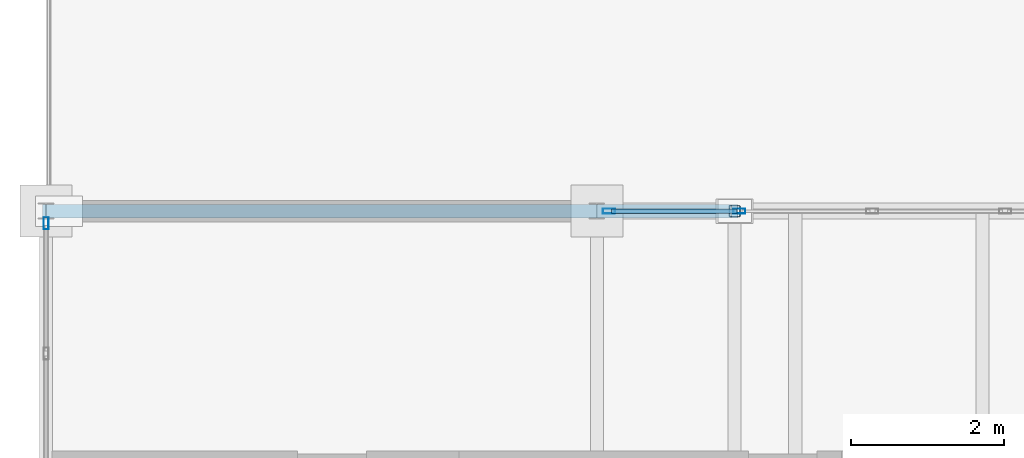
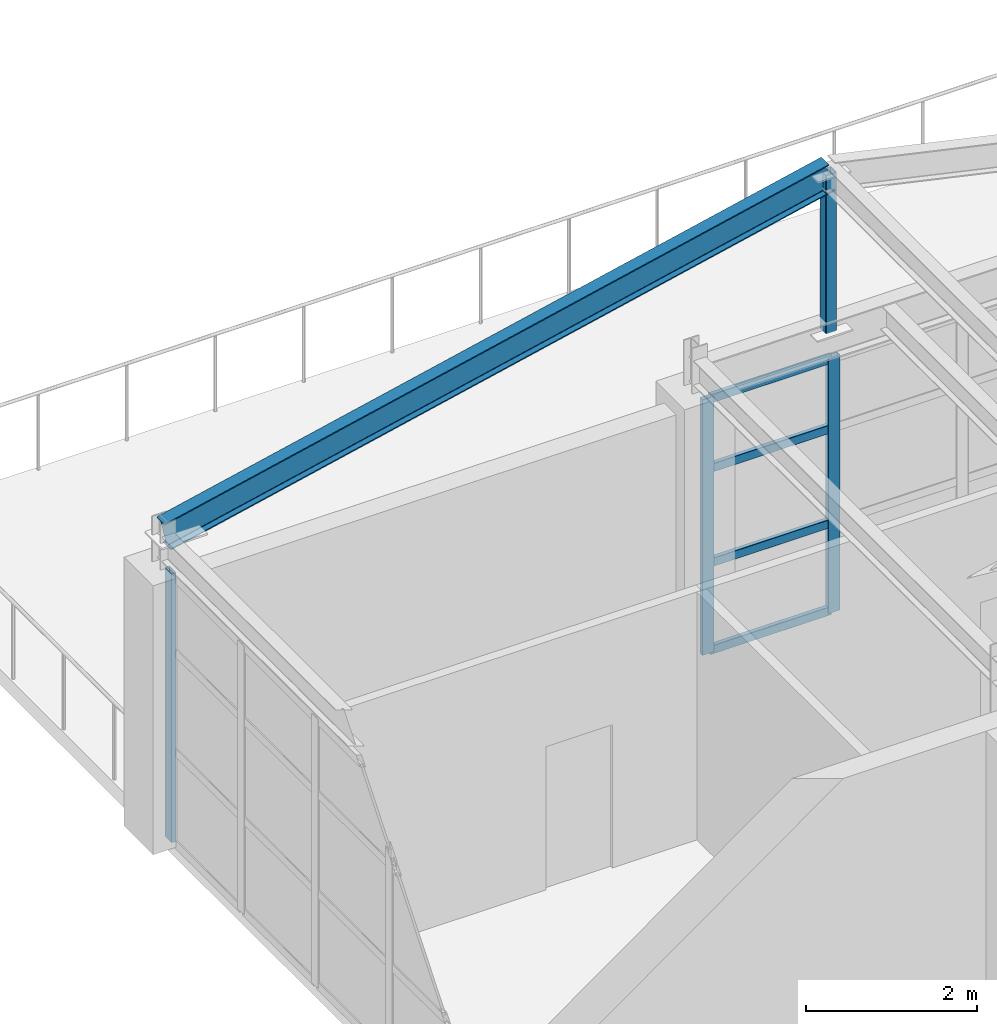
# One storey, part 30 of 43: 8 members, 1 beam, 2 elements without a shape of their own.
"""IFC4 building model written with IfcOpenShell, lengths in metres."""

from ifc_helpers import new_model, si_unit, direction, frame, origin, origin_2d, place, context, subcontext, project, spatial, hollow_rectangle, i_section, extrude, material, layer, layer_set, material_profile, profile_set, type_object, element, aggregate, save


model = new_model("IFC4")

# Units and contexts
model_context = context("Model", 3, precision=1e-05, world=origin(), true_north=direction((0.0, 1.0)))
body_context = subcontext(model_context, "Body", "Model", "MODEL_VIEW")
ifc_project = project(units=[si_unit("LENGTHUNIT", "METRE"), si_unit("AREAUNIT", "SQUARE_METRE"), si_unit("VOLUMEUNIT", "CUBIC_METRE"), si_unit("PLANEANGLEUNIT", "RADIAN"), si_unit("MASSUNIT", "GRAM", prefix="KILO")], contexts=[model_context])

# Site, building, storey
site_placement = place(None, origin())
site = spatial("IfcSite", under=ifc_project, at=site_placement, CompositionType="ELEMENT")
building_placement = place(site_placement, origin())
building = spatial("IfcBuilding", under=site, at=building_placement, Name="Kemerveld Promenade Tramway Depot", CompositionType="ELEMENT")
storey_placement = place(building_placement, frame((0.0, 0.0, 18.89990234375)))
storey = spatial("IfcBuildingStorey", under=building, at=storey_placement, Name="L04", CompositionType="ELEMENT", Elevation=18.89990234375)

# Beam
ifc_material_1 = material(Name="Steel S355", Category="steel")
ifc_material_profile_1 = material_profile(ifc_material_1, i_section(OverallWidth=0.1787109375, OverallDepth=0.409423828125, WebThickness=0.0087890625, FlangeThickness=0.014404296875, FilletRadius=0.01025390625, at=origin_2d()), Name="406x178x67 UB")
ifc_profile_set_1 = profile_set([ifc_material_profile_1], Name="Steel S355")
beam_type = type_object("IfcBeamType", Name="BM-G07", PredefinedType="BEAM", material=ifc_profile_set_1)
beam_placement = place(storey_placement, frame((0.0, 57.60009765625, 4.275390625), z_axis=(0.976187060184, 0.0, 0.216930457819), x_axis=(0.0, 1.0, 0.0)))
element("IfcBeam", 1, at=beam_placement, inside=storey, type_object=beam_type, Name="RAF-V5-J-W", PredefinedType="BEAM", context=body_context, shape_type="SweptSolid", body=[
    extrude(i_section(OverallWidth=0.1787109375, OverallDepth=0.409423828125, WebThickness=0.0087890625, FlangeThickness=0.014404296875, FilletRadius=0.01025390625, at=origin_2d()), origin(), (0.0, 0.0, 1.0), 9.219482421875),
])

# Curtain wall, member
ifc_material_2 = material(Name="Bronze anodised aluminium and solar glass", Category="aluminium")
ifc_layer_1 = layer(ifc_material_2, 0.159912109375)
ifc_layer_set_1 = layer_set([ifc_layer_1], Name="CW-SYS-11")
curtain_wall_type_1 = type_object("IfcCurtainWallType", Name="CW-SYS-11", PredefinedType="USERDEFINED", material=ifc_layer_set_1)
curtain_wall_1_placement = place(storey_placement, origin())
curtain_wall_1 = element("IfcCurtainWall", 2, at=curtain_wall_1_placement, inside=storey, type_object=curtain_wall_type_1, Name="CW-L04-V5W-08", ObjectType="GLAZED_CURTAIN_WALL", PredefinedType="USERDEFINED")
ifc_material_3 = material(Name="Bronze anodised aluminium", Category="aluminium")
ifc_material_profile_2 = material_profile(ifc_material_3, hollow_rectangle(XDim=0.06494140625, YDim=0.159912109375, WallThickness=0.00390625, InnerFilletRadius=0.001953125, OuterFilletRadius=0.00390625, at=origin_2d()), Name="CW-MUL-160x65")
ifc_profile_set_2 = profile_set([ifc_material_profile_2], Name="Bronze anodised aluminium")
member_type_1 = type_object("IfcMemberType", Name="CW-MUL-A", PredefinedType="MULLION", material=ifc_profile_set_2)
member_1_placement = place(storey_placement, frame((0.0, 57.442626953125, 0.0), z_axis=(0.0, 0.0, 1.0), x_axis=(-1.0, 0.0, 0.0)))
member_1 = element("IfcMember", 3, at=member_1_placement, type_object=member_type_1, Name="CW11 mullion 5", PredefinedType="MULLION", context=body_context, shape_type="SweptSolid", body=[
    extrude(hollow_rectangle(XDim=0.06494140625, YDim=0.159912109375, WallThickness=0.00390625, InnerFilletRadius=0.001953125, OuterFilletRadius=0.00390625, at=origin_2d()), origin(), (0.0, 0.0, 1.0), 3.85009765625),
])
aggregate(curtain_wall_1, [member_1])

# Curtain wall, members
ifc_layer_2 = layer(ifc_material_2, 0.159912109375)
ifc_layer_set_2 = layer_set([ifc_layer_2], Name="CW-SYS-05")
curtain_wall_type_2 = type_object("IfcCurtainWallType", Name="CW-SYS-05", PredefinedType="USERDEFINED", material=ifc_layer_set_2)
curtain_wall_2_placement = place(storey_placement, origin())
curtain_wall_2 = element("IfcCurtainWall", 4, at=curtain_wall_2_placement, inside=storey, type_object=curtain_wall_type_2, Name="CW-L04-V5N-02", ObjectType="GLAZED_CURTAIN_WALL", PredefinedType="USERDEFINED")
member_2_placement = place(storey_placement, frame((7.357421875, 57.60009765625, 0.0), z_axis=(0.0, 0.0, 1.0), x_axis=(0.0, 1.0, 0.0)))
member_2 = element("IfcMember", 5, at=member_2_placement, type_object=member_type_1, Name="CW05 mullion 1", PredefinedType="MULLION", context=body_context, shape_type="SweptSolid", body=[
    extrude(hollow_rectangle(XDim=0.06494140625, YDim=0.159912109375, WallThickness=0.00390625, InnerFilletRadius=0.001953125, OuterFilletRadius=0.00390625, at=origin_2d()), origin(), (0.0, 0.0, 1.0), 3.658203125),
])
member_3_placement = place(storey_placement, frame((9.0625, 57.60009765625, 0.0), z_axis=(0.0, 0.0, 1.0), x_axis=(0.0, 1.0, 0.0)))
member_3 = element("IfcMember", 6, at=member_3_placement, type_object=member_type_1, Name="CW05 mullion 2", PredefinedType="MULLION", context=body_context, shape_type="SweptSolid", body=[
    extrude(hollow_rectangle(XDim=0.06494140625, YDim=0.159912109375, WallThickness=0.00390625, InnerFilletRadius=0.001953125, OuterFilletRadius=0.00390625, at=origin_2d()), origin(), (0.0, 0.0, 1.0), 3.658203125),
])
ifc_material_profile_3 = material_profile(ifc_material_3, hollow_rectangle(XDim=0.06005859375, YDim=0.1201171875, WallThickness=0.00390625, InnerFilletRadius=0.001953125, OuterFilletRadius=0.00390625, at=origin_2d()), Name="CW-TRN-120x60")
ifc_profile_set_3 = profile_set([ifc_material_profile_3], Name="Bronze anodised aluminium")
member_type_2 = type_object("IfcMemberType", Name="CW-TRN-A", PredefinedType="USERDEFINED", material=ifc_profile_set_3)
member_4_placement = place(storey_placement, frame((7.389892578125, 57.60009765625, 0.030029296875), z_axis=(1.0, 0.0, 0.0), x_axis=(0.0, 1.0, 0.0)))
member_4 = element("IfcMember", 7, at=member_4_placement, type_object=member_type_2, Name="CW05 transom 1.1", ObjectType="TRANSOM", PredefinedType="USERDEFINED", context=body_context, shape_type="SweptSolid", body=[
    extrude(hollow_rectangle(XDim=0.06005859375, YDim=0.1201171875, WallThickness=0.00390625, InnerFilletRadius=0.001953125, OuterFilletRadius=0.00390625, at=origin_2d()), origin(), (0.0, 0.0, 1.0), 1.639892578125),
])
member_5_placement = place(storey_placement, frame((7.389892578125, 57.60009765625, 1.280029296875), z_axis=(1.0, 0.0, 0.0), x_axis=(0.0, 1.0, 0.0)))
member_5 = element("IfcMember", 8, at=member_5_placement, type_object=member_type_2, Name="CW05 transom 1.2", ObjectType="TRANSOM", PredefinedType="USERDEFINED", context=body_context, shape_type="SweptSolid", body=[
    extrude(hollow_rectangle(XDim=0.06005859375, YDim=0.1201171875, WallThickness=0.00390625, InnerFilletRadius=0.001953125, OuterFilletRadius=0.00390625, at=origin_2d()), origin(), (0.0, 0.0, 1.0), 1.639892578125),
])
member_6_placement = place(storey_placement, frame((7.389892578125, 57.60009765625, 2.634033203125), z_axis=(1.0, 0.0, 0.0), x_axis=(0.0, 1.0, 0.0)))
member_6 = element("IfcMember", 9, at=member_6_placement, type_object=member_type_2, Name="CW05 transom 1.3", ObjectType="TRANSOM", PredefinedType="USERDEFINED", context=body_context, shape_type="SweptSolid", body=[
    extrude(hollow_rectangle(XDim=0.06005859375, YDim=0.1201171875, WallThickness=0.00390625, InnerFilletRadius=0.001953125, OuterFilletRadius=0.00390625, at=origin_2d()), origin(), (0.0, 0.0, 1.0), 1.639892578125),
])
member_7_placement = place(storey_placement, frame((7.389892578125, 57.60009765625, 3.62841796875), z_axis=(1.0, 0.0, 0.0), x_axis=(0.0, 1.0, 0.0)))
member_7 = element("IfcMember", 10, at=member_7_placement, type_object=member_type_2, Name="CW05 transom 1.4", ObjectType="TRANSOM", PredefinedType="USERDEFINED", context=body_context, shape_type="SweptSolid", body=[
    extrude(hollow_rectangle(XDim=0.06005859375, YDim=0.1201171875, WallThickness=0.00390625, InnerFilletRadius=0.001953125, OuterFilletRadius=0.00390625, at=origin_2d()), origin(), (0.0, 0.0, 1.0), 1.639892578125),
])
aggregate(curtain_wall_2, [member_2, member_3, member_4, member_5, member_6, member_7])

# Member
ifc_material_profile_4 = material_profile(ifc_material_1, hollow_rectangle(XDim=0.14990234375, YDim=0.14990234375, WallThickness=0.008056640625, InnerFilletRadius=0.00390625, OuterFilletRadius=0.011962890625, at=origin_2d()), Name="150x150x8.0 SHS")
ifc_profile_set_4 = profile_set([ifc_material_profile_4], Name="Steel S355")
member_type_3 = type_object("IfcMemberType", Name="MB-TP2", PredefinedType="POST", material=ifc_profile_set_4)
member_8_placement = place(storey_placement, frame((9.0, 57.60009765625, 4.050048828125), z_axis=(0.0, 0.0, 1.0), x_axis=(1.0, 0.0, 0.0)))
element("IfcMember", 11, at=member_8_placement, inside=storey, type_object=member_type_3, Name="POST-RDG-V5-J", PredefinedType="POST", context=body_context, shape_type="SweptSolid", body=[
    extrude(hollow_rectangle(XDim=0.14990234375, YDim=0.14990234375, WallThickness=0.008056640625, InnerFilletRadius=0.00390625, OuterFilletRadius=0.011962890625, at=origin_2d()), origin(), (0.0, 0.0, 1.0), 2.265380859375),
])

save(model, "model.ifc")
